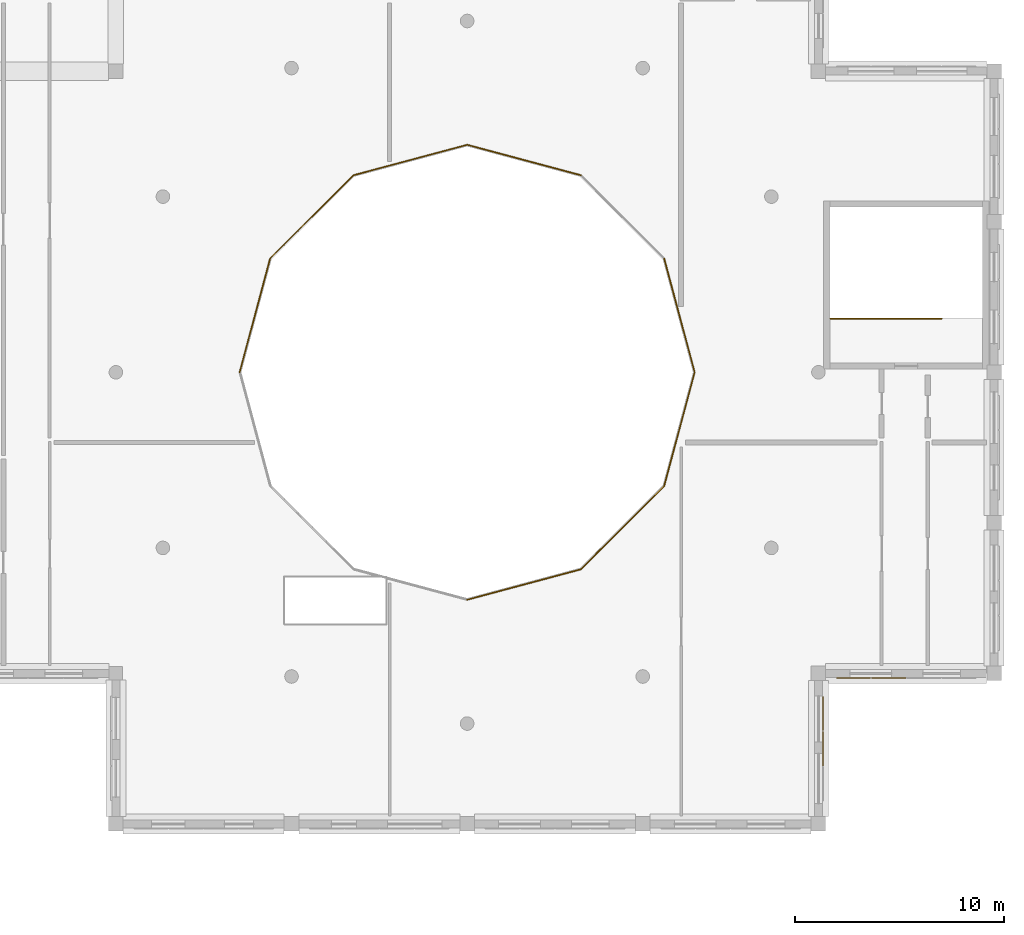
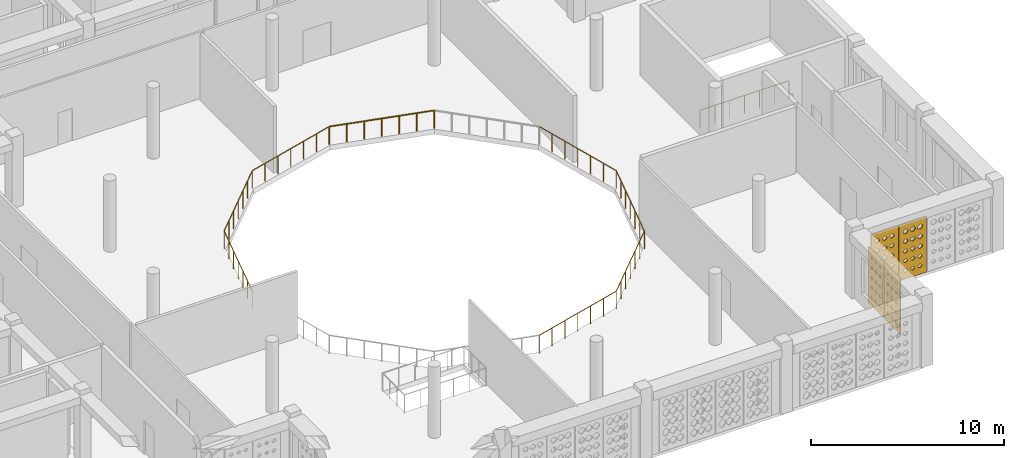
# One storey, part 37 of 47: 9 railings, 4 coverings.
"""IFC4 building model written with IfcOpenShell, lengths in metres."""

from ifc_helpers import new_model, si_unit, derived_unit, direction, frame, origin, origin_2d, place, context, subcontext, project, spatial, polyline, circle, outline, extrude, material, layer, layer_set, type_object, element, save


model = new_model("IFC4")

# Units and contexts
model_context = context("Model", 3, precision=1e-05, world=origin(), true_north=direction((0.0, 1.0)))
body_context = subcontext(model_context, "Body", "Model", "MODEL_VIEW")
ifc_project = project(units=[si_unit("LENGTHUNIT", "METRE"), si_unit("AREAUNIT", "SQUARE_METRE"), si_unit("VOLUMEUNIT", "CUBIC_METRE"), si_unit("PLANEANGLEUNIT", "RADIAN"), si_unit("MASSUNIT", "GRAM", prefix="KILO"), derived_unit("THERMALTRANSMITTANCEUNIT", [(si_unit("POWERUNIT", "WATT"), 1), (si_unit("LENGTHUNIT", "METRE"), -2), (si_unit("THERMODYNAMICTEMPERATUREUNIT", "KELVIN"), -1)])], contexts=[model_context])

# Site, building, storey
site_placement = place(None, origin())
site = spatial("IfcSite", under=ifc_project, at=site_placement, CompositionType="ELEMENT")
building_placement = place(site_placement, origin())
building = spatial("IfcBuilding", under=site, at=building_placement, Name="Veybourne Emporium", CompositionType="ELEMENT")
storey_placement = place(building_placement, frame((0.0, 0.0, 23.39990234375)))
storey = spatial("IfcBuildingStorey", under=building, at=storey_placement, Name="L05", CompositionType="ELEMENT", Elevation=23.39990234375)

# Railings
ifc_material_1 = material(Name="Patinated Architectural Bronze", Category="bronze")
railing_type_1 = type_object("IfcRailingType", Name="Balustrade_BL-01", PredefinedType="BALUSTRADE", material=ifc_material_1)
railing_1_placement = place(storey_placement, frame((86.47998046875, 50.39990234375, 0.0)))
element("IfcRailing", 1, at=railing_1_placement, inside=storey, type_object=railing_type_1, Name="L05 central atrium void balustrade 01", PredefinedType="BALUSTRADE", context=body_context, shape_type="SweptSolid", body=[
    extrude(circle(Radius=0.02392578125, at=origin_2d()), frame((0.0, 0.0, 1.1259765625), z_axis=(-0.25879025426, 0.965933540312, 0.0), x_axis=(-0.965933540312, -0.25879025426, 0.0)), (0.0, 0.0, 1.0), 5.632080078125),
    extrude(circle(Radius=0.02099609375, at=origin_2d()), origin(), (0.0, 0.0, 1.0), 1.101806640625),
    extrude(circle(Radius=0.02099609375, at=origin_2d()), frame((-0.242919921875, 0.90673828125, 0.0)), (0.0, 0.0, 1.0), 1.101806640625),
    extrude(circle(Radius=0.02099609375, at=origin_2d()), frame((-0.48583984375, 1.8134765625, 0.0)), (0.0, 0.0, 1.0), 1.101806640625),
    extrude(circle(Radius=0.02099609375, at=origin_2d()), frame((-0.728759765625, 2.72021484375, 0.0)), (0.0, 0.0, 1.0), 1.101806640625),
    extrude(circle(Radius=0.02099609375, at=origin_2d()), frame((-0.9716796875, 3.626708984375, 0.0)), (0.0, 0.0, 1.0), 1.101806640625),
    extrude(circle(Radius=0.02099609375, at=origin_2d()), frame((-1.214599609375, 4.533447265625, 0.0)), (0.0, 0.0, 1.0), 1.101806640625),
    extrude(circle(Radius=0.02099609375, at=origin_2d()), frame((-1.45751953125, 5.440185546875, 0.0)), (0.0, 0.0, 1.0), 1.101806640625),
])
railing_2_placement = place(storey_placement, frame((81.0400390625, 59.822265625, 0.0)))
element("IfcRailing", 2, at=railing_2_placement, inside=storey, type_object=railing_type_1, Name="L05 central atrium void balustrade 03", PredefinedType="BALUSTRADE", context=body_context, shape_type="SweptSolid", body=[
    extrude(circle(Radius=0.02392578125, at=origin_2d()), frame((0.0, 0.0, 1.1259765625), z_axis=(-0.965919799386, 0.258841536762, 0.0), x_axis=(-0.258841536762, -0.965919799386, 0.0)), (0.0, 0.0, 1.0), 5.6318359375),
    extrude(circle(Radius=0.02099609375, at=origin_2d()), origin(), (0.0, 0.0, 1.0), 1.101806640625),
    extrude(circle(Radius=0.02099609375, at=origin_2d()), frame((-0.90673828125, 0.242919921875, 0.0)), (0.0, 0.0, 1.0), 1.101806640625),
    extrude(circle(Radius=0.02099609375, at=origin_2d()), frame((-1.813232421875, 0.48583984375, 0.0)), (0.0, 0.0, 1.0), 1.101806640625),
    extrude(circle(Radius=0.02099609375, at=origin_2d()), frame((-2.719970703125, 0.72900390625, 0.0)), (0.0, 0.0, 1.0), 1.101806640625),
    extrude(circle(Radius=0.02099609375, at=origin_2d()), frame((-3.626708984375, 0.971923828125, 0.0)), (0.0, 0.0, 1.0), 1.101806640625),
    extrude(circle(Radius=0.02099609375, at=origin_2d()), frame((-4.533203125, 1.21484375, 0.0)), (0.0, 0.0, 1.0), 1.101806640625),
    extrude(circle(Radius=0.02099609375, at=origin_2d()), frame((-5.43994140625, 1.457763671875, 0.0)), (0.0, 0.0, 1.0), 1.101806640625),
])
railing_3_placement = place(storey_placement, frame((75.60009765625, 61.280029296875, 0.0)))
element("IfcRailing", 3, at=railing_3_placement, inside=storey, type_object=railing_type_1, Name="L05 central atrium void balustrade 04", PredefinedType="BALUSTRADE", context=body_context, shape_type="SweptSolid", body=[
    extrude(circle(Radius=0.02392578125, at=origin_2d()), frame((0.0, 0.0, 1.1259765625), z_axis=(-0.965922703593, -0.258830698881, 0.0), x_axis=(0.258830698881, -0.965922703593, 0.0)), (0.0, 0.0, 1.0), 5.632080078125),
    extrude(circle(Radius=0.02099609375, at=origin_2d()), origin(), (0.0, 0.0, 1.0), 1.101806640625),
    extrude(circle(Radius=0.02099609375, at=origin_2d()), frame((-0.90673828125, -0.242919921875, 0.0)), (0.0, 0.0, 1.0), 1.101806640625),
    extrude(circle(Radius=0.02099609375, at=origin_2d()), frame((-1.8134765625, -0.48583984375, 0.0)), (0.0, 0.0, 1.0), 1.101806640625),
    extrude(circle(Radius=0.02099609375, at=origin_2d()), frame((-2.72021484375, -0.72900390625, 0.0)), (0.0, 0.0, 1.0), 1.101806640625),
    extrude(circle(Radius=0.02099609375, at=origin_2d()), frame((-3.626708984375, -0.971923828125, 0.0)), (0.0, 0.0, 1.0), 1.101806640625),
    extrude(circle(Radius=0.02099609375, at=origin_2d()), frame((-4.533447265625, -1.21484375, 0.0)), (0.0, 0.0, 1.0), 1.101806640625),
    extrude(circle(Radius=0.02099609375, at=origin_2d()), frame((-5.440185546875, -1.457763671875, 0.0)), (0.0, 0.0, 1.0), 1.101806640625),
])
railing_4_placement = place(storey_placement, frame((70.159912109375, 59.822265625, 0.0)))
element("IfcRailing", 4, at=railing_4_placement, inside=storey, type_object=railing_type_1, Name="L05 central atrium void balustrade 05", PredefinedType="BALUSTRADE", context=body_context, shape_type="SweptSolid", body=[
    extrude(circle(Radius=0.02392578125, at=origin_2d()), frame((0.0, 0.0, 1.1259765625), z_axis=(-0.707106781187, -0.707106781187, 0.0), x_axis=(0.707106781187, -0.707106781187, 0.0)), (0.0, 0.0, 1.0), 5.631591796875),
    extrude(circle(Radius=0.02099609375, at=origin_2d()), origin(), (0.0, 0.0, 1.0), 1.101806640625),
    extrude(circle(Radius=0.02099609375, at=origin_2d()), frame((-0.66357421875, -0.66357421875, 0.0)), (0.0, 0.0, 1.0), 1.101806640625),
    extrude(circle(Radius=0.02099609375, at=origin_2d()), frame((-1.327392578125, -1.327392578125, 0.0)), (0.0, 0.0, 1.0), 1.101806640625),
    extrude(circle(Radius=0.02099609375, at=origin_2d()), frame((-1.9912109375, -1.9912109375, 0.0)), (0.0, 0.0, 1.0), 1.101806640625),
    extrude(circle(Radius=0.02099609375, at=origin_2d()), frame((-2.65478515625, -2.65478515625, 0.0)), (0.0, 0.0, 1.0), 1.101806640625),
    extrude(circle(Radius=0.02099609375, at=origin_2d()), frame((-3.318359375, -3.318359375, 0.0)), (0.0, 0.0, 1.0), 1.101806640625),
    extrude(circle(Radius=0.02099609375, at=origin_2d()), frame((-3.982177734375, -3.982177734375, 0.0)), (0.0, 0.0, 1.0), 1.101806640625),
])
railing_5_placement = place(storey_placement, frame((66.177734375, 55.840087890625, 0.0)))
element("IfcRailing", 5, at=railing_5_placement, inside=storey, type_object=railing_type_1, Name="L05 central atrium void balustrade 06", PredefinedType="BALUSTRADE", context=body_context, shape_type="SweptSolid", body=[
    extrude(circle(Radius=0.02392578125, at=origin_2d()), frame((0.0, 0.0, 1.1259765625), z_axis=(-0.258830698881, -0.965922703593, 0.0), x_axis=(0.965922703593, -0.258830698881, 0.0)), (0.0, 0.0, 1.0), 5.632080078125),
    extrude(circle(Radius=0.02099609375, at=origin_2d()), origin(), (0.0, 0.0, 1.0), 1.101806640625),
    extrude(circle(Radius=0.02099609375, at=origin_2d()), frame((-0.242919921875, -0.90673828125, 0.0)), (0.0, 0.0, 1.0), 1.101806640625),
    extrude(circle(Radius=0.02099609375, at=origin_2d()), frame((-0.48583984375, -1.8134765625, 0.0)), (0.0, 0.0, 1.0), 1.101806640625),
    extrude(circle(Radius=0.02099609375, at=origin_2d()), frame((-0.72900390625, -2.72021484375, 0.0)), (0.0, 0.0, 1.0), 1.101806640625),
    extrude(circle(Radius=0.02099609375, at=origin_2d()), frame((-0.971923828125, -3.626708984375, 0.0)), (0.0, 0.0, 1.0), 1.101806640625),
    extrude(circle(Radius=0.02099609375, at=origin_2d()), frame((-1.21484375, -4.533447265625, 0.0)), (0.0, 0.0, 1.0), 1.101806640625),
    extrude(circle(Radius=0.02099609375, at=origin_2d()), frame((-1.457763671875, -5.440185546875, 0.0)), (0.0, 0.0, 1.0), 1.101806640625),
])
railing_6_placement = place(storey_placement, frame((75.60009765625, 39.52001953125, 0.0)))
element("IfcRailing", 6, at=railing_6_placement, inside=storey, type_object=railing_type_1, Name="L05 central atrium void balustrade 10", PredefinedType="BALUSTRADE", context=body_context, shape_type="SweptSolid", body=[
    extrude(circle(Radius=0.02392578125, at=origin_2d()), frame((0.0, 0.0, 1.1259765625), z_axis=(0.96593063698, 0.258801090691, 0.0), x_axis=(-0.258801090691, 0.96593063698, 0.0)), (0.0, 0.0, 1.0), 5.6318359375),
    extrude(circle(Radius=0.02099609375, at=origin_2d()), origin(), (0.0, 0.0, 1.0), 1.101806640625),
    extrude(circle(Radius=0.02099609375, at=origin_2d()), frame((0.90673828125, 0.242919921875, 0.0)), (0.0, 0.0, 1.0), 1.101806640625),
    extrude(circle(Radius=0.02099609375, at=origin_2d()), frame((1.813232421875, 0.48583984375, 0.0)), (0.0, 0.0, 1.0), 1.101806640625),
    extrude(circle(Radius=0.02099609375, at=origin_2d()), frame((2.719970703125, 0.728759765625, 0.0)), (0.0, 0.0, 1.0), 1.101806640625),
    extrude(circle(Radius=0.02099609375, at=origin_2d()), frame((3.626708984375, 0.9716796875, 0.0)), (0.0, 0.0, 1.0), 1.101806640625),
    extrude(circle(Radius=0.02099609375, at=origin_2d()), frame((4.533203125, 1.214599609375, 0.0)), (0.0, 0.0, 1.0), 1.101806640625),
    extrude(circle(Radius=0.02099609375, at=origin_2d()), frame((5.43994140625, 1.45751953125, 0.0)), (0.0, 0.0, 1.0), 1.101806640625),
])
railing_7_placement = place(storey_placement, frame((81.0400390625, 40.9775390625, 0.0)))
element("IfcRailing", 7, at=railing_7_placement, inside=storey, type_object=railing_type_1, Name="L05 central atrium void balustrade 11", PredefinedType="BALUSTRADE", context=body_context, shape_type="SweptSolid", body=[
    extrude(circle(Radius=0.02392578125, at=origin_2d()), frame((0.0, 0.0, 1.1259765625), z_axis=(0.707106781187, 0.707106781187, 0.0), x_axis=(-0.707106781187, 0.707106781187, 0.0)), (0.0, 0.0, 1.0), 5.632080078125),
    extrude(circle(Radius=0.02099609375, at=origin_2d()), origin(), (0.0, 0.0, 1.0), 1.101806640625),
    extrude(circle(Radius=0.02099609375, at=origin_2d()), frame((0.663818359375, 0.663818359375, 0.0)), (0.0, 0.0, 1.0), 1.101806640625),
    extrude(circle(Radius=0.02099609375, at=origin_2d()), frame((1.327392578125, 1.327392578125, 0.0)), (0.0, 0.0, 1.0), 1.101806640625),
    extrude(circle(Radius=0.02099609375, at=origin_2d()), frame((1.9912109375, 1.9912109375, 0.0)), (0.0, 0.0, 1.0), 1.101806640625),
    extrude(circle(Radius=0.02099609375, at=origin_2d()), frame((2.655029296875, 2.655029296875, 0.0)), (0.0, 0.0, 1.0), 1.101806640625),
    extrude(circle(Radius=0.02099609375, at=origin_2d()), frame((3.318603515625, 3.318603515625, 0.0)), (0.0, 0.0, 1.0), 1.101806640625),
    extrude(circle(Radius=0.02099609375, at=origin_2d()), frame((3.982421875, 3.982421875, 0.0)), (0.0, 0.0, 1.0), 1.101806640625),
])
railing_8_placement = place(storey_placement, frame((85.0224609375, 44.9599609375, 0.0)))
element("IfcRailing", 8, at=railing_8_placement, inside=storey, type_object=railing_type_1, Name="L05 central atrium void balustrade 12", PredefinedType="BALUSTRADE", context=body_context, shape_type="SweptSolid", body=[
    extrude(circle(Radius=0.02392578125, at=origin_2d()), frame((0.0, 0.0, 1.1259765625), z_axis=(0.258801090691, 0.96593063698, 0.0), x_axis=(-0.96593063698, 0.258801090691, 0.0)), (0.0, 0.0, 1.0), 5.6318359375),
    extrude(circle(Radius=0.02099609375, at=origin_2d()), origin(), (0.0, 0.0, 1.0), 1.101806640625),
    extrude(circle(Radius=0.02099609375, at=origin_2d()), frame((0.242919921875, 0.90673828125, 0.0)), (0.0, 0.0, 1.0), 1.101806640625),
    extrude(circle(Radius=0.02099609375, at=origin_2d()), frame((0.48583984375, 1.813232421875, 0.0)), (0.0, 0.0, 1.0), 1.101806640625),
    extrude(circle(Radius=0.02099609375, at=origin_2d()), frame((0.728759765625, 2.719970703125, 0.0)), (0.0, 0.0, 1.0), 1.101806640625),
    extrude(circle(Radius=0.02099609375, at=origin_2d()), frame((0.9716796875, 3.626708984375, 0.0)), (0.0, 0.0, 1.0), 1.101806640625),
    extrude(circle(Radius=0.02099609375, at=origin_2d()), frame((1.214599609375, 4.533203125, 0.0)), (0.0, 0.0, 1.0), 1.101806640625),
    extrude(circle(Radius=0.02099609375, at=origin_2d()), frame((1.45751953125, 5.43994140625, 0.0)), (0.0, 0.0, 1.0), 1.101806640625),
])
ifc_material_2 = material(Name="Brushed Stainless Steel", Category="steel")
railing_type_2 = type_object("IfcRailingType", Name="Guard_GR-01", PredefinedType="GUARDRAIL", material=ifc_material_2)
railing_9_placement = place(storey_placement, frame((92.969970703125, 52.9599609375, 0.0)))
element("IfcRailing", 9, at=railing_9_placement, inside=storey, type_object=railing_type_2, Name="L05 ST-07 top well guardrail", PredefinedType="GUARDRAIL", context=body_context, shape_type="SweptSolid", body=[
    extrude(circle(Radius=0.02392578125, at=origin_2d()), frame((0.0, 0.0, 1.1259765625), z_axis=(1.0, 0.0, 0.0), x_axis=(0.0, 1.0, 0.0)), (0.0, 0.0, 1.0), 5.320068359375),
    extrude(circle(Radius=0.02099609375, at=origin_2d()), origin(), (0.0, 0.0, 1.0), 1.101806640625),
    extrude(circle(Radius=0.02099609375, at=origin_2d()), frame((0.88671875, 0.0, 0.0)), (0.0, 0.0, 1.0), 1.101806640625),
    extrude(circle(Radius=0.02099609375, at=origin_2d()), frame((1.7734375, 0.0, 0.0)), (0.0, 0.0, 1.0), 1.101806640625),
    extrude(circle(Radius=0.02099609375, at=origin_2d()), frame((2.66015625, 0.0, 0.0)), (0.0, 0.0, 1.0), 1.101806640625),
    extrude(circle(Radius=0.02099609375, at=origin_2d()), frame((3.546630859375, 0.0, 0.0)), (0.0, 0.0, 1.0), 1.101806640625),
    extrude(circle(Radius=0.02099609375, at=origin_2d()), frame((4.433349609375, 0.0, 0.0)), (0.0, 0.0, 1.0), 1.101806640625),
    extrude(circle(Radius=0.02099609375, at=origin_2d()), frame((5.320068359375, 0.0, 0.0)), (0.0, 0.0, 1.0), 1.101806640625),
])

# Coverings
ifc_material_3 = material(Name="Warm-White Perforated Aluminium Screen Alloy", Category="aluminium")
ifc_layer_1 = layer(ifc_material_3, 0.06005859375)
ifc_layer_set_1 = layer_set([ifc_layer_1], Name="Warm-White Perforated Aluminium Screen Alloy")
covering_type_1 = type_object("IfcCoveringType", Name="WaveScreen_SCR-01", PredefinedType="CLADDING", material=ifc_layer_set_1)
covering_1_placement = place(storey_placement, frame((94.080078125, 35.751953125, 1.830078125), z_axis=(0.0, 1.0, 0.0), x_axis=(-1.0, 0.0, 0.0)))
element("IfcCovering", 10, at=covering_1_placement, inside=storey, type_object=covering_type_1, Name="L05 wave-perforated aluminium screen SCR-01 (51.4)", PredefinedType="CLADDING", context=body_context, shape_type="SweptSolid", body=[
    extrude(outline(polyline([(-0.81982421875, -1.77001953125), (0.81982421875, -1.77001953125), (0.81982421875, 1.77001953125), (-0.81982421875, 1.77001953125), (-0.81982421875, -1.77001953125)]), holes=[polyline([(-0.433349609375, -1.125732421875), (-0.329833984375, -1.19873046875), (-0.329833984375, -1.28125), (-0.433349609375, -1.354248046875), (-0.536865234375, -1.28125), (-0.536865234375, -1.19873046875), (-0.433349609375, -1.125732421875)]), polyline([(-0.433349609375, -0.5), (-0.3251953125, -0.576904296875), (-0.3251953125, -0.6630859375), (-0.433349609375, -0.739990234375), (-0.54150390625, -0.6630859375), (-0.54150390625, -0.576904296875), (-0.433349609375, -0.5)]), polyline([(-0.433349609375, 0.1279296875), (-0.318603515625, 0.046142578125), (-0.318603515625, -0.046142578125), (-0.433349609375, -0.1279296875), (-0.548095703125, -0.046142578125), (-0.548095703125, 0.046142578125), (-0.433349609375, 0.1279296875)]), polyline([(-0.433349609375, 0.7578125), (-0.310546875, 0.669677734375), (-0.310546875, 0.5703125), (-0.433349609375, 0.482177734375), (-0.55615234375, 0.5703125), (-0.55615234375, 0.669677734375), (-0.433349609375, 0.7578125)]), polyline([(-0.433349609375, 1.389404296875), (-0.30126953125, 1.293701171875), (-0.30126953125, 1.186279296875), (-0.433349609375, 1.0908203125), (-0.5654296875, 1.186279296875), (-0.5654296875, 1.293701171875), (-0.433349609375, 1.389404296875)]), polyline([(0.0, -1.12744140625), (0.10205078125, -1.199462890625), (0.10205078125, -1.280517578125), (0.0, -1.3525390625), (-0.10205078125, -1.280517578125), (-0.10205078125, -1.199462890625), (0.0, -1.12744140625)]), polyline([(0.0, -0.502685546875), (0.10595703125, -0.577880859375), (0.10595703125, -0.662109375), (0.0, -0.7373046875), (-0.10595703125, -0.662109375), (-0.10595703125, -0.577880859375), (0.0, -0.502685546875)]), polyline([(0.0, 0.124267578125), (0.111572265625, 0.044677734375), (0.111572265625, -0.044677734375), (0.0, -0.124267578125), (-0.111572265625, -0.044677734375), (-0.111572265625, 0.044677734375), (0.0, 0.124267578125)]), polyline([(0.0, 0.753173828125), (0.118896484375, 0.66796875), (0.118896484375, 0.572021484375), (0.0, 0.48681640625), (-0.118896484375, 0.572021484375), (-0.118896484375, 0.66796875), (0.0, 0.753173828125)]), polyline([(0.0, 1.384033203125), (0.127685546875, 1.291748046875), (0.127685546875, 1.188232421875), (0.0, 1.095947265625), (-0.127685546875, 1.188232421875), (-0.127685546875, 1.291748046875), (0.0, 1.384033203125)]), polyline([(0.433349609375, -1.12890625), (0.5341796875, -1.199951171875), (0.5341796875, -1.280029296875), (0.433349609375, -1.351318359375), (0.33251953125, -1.280029296875), (0.33251953125, -1.199951171875), (0.433349609375, -1.12890625)]), polyline([(0.433349609375, -0.505126953125), (0.537353515625, -0.57861328125), (0.537353515625, -0.661376953125), (0.433349609375, -0.73486328125), (0.329345703125, -0.661376953125), (0.329345703125, -0.57861328125), (0.433349609375, -0.505126953125)]), polyline([(0.433349609375, 0.120849609375), (0.5419921875, 0.04345703125), (0.5419921875, -0.04345703125), (0.433349609375, -0.120849609375), (0.324462890625, -0.04345703125), (0.324462890625, 0.04345703125), (0.433349609375, 0.120849609375)]), polyline([(0.433349609375, 0.748779296875), (0.548828125, 0.66650390625), (0.548828125, 0.573486328125), (0.433349609375, 0.4912109375), (0.31787109375, 0.573486328125), (0.31787109375, 0.66650390625), (0.433349609375, 0.748779296875)]), polyline([(0.433349609375, 1.37890625), (0.556884765625, 1.2900390625), (0.556884765625, 1.18994140625), (0.433349609375, 1.10107421875), (0.309814453125, 1.18994140625), (0.309814453125, 1.2900390625), (0.433349609375, 1.37890625)])]), origin(), (0.0, 0.0, 1.0), 0.06005859375),
])
ifc_layer_2 = layer(ifc_material_3, 0.06005859375)
ifc_layer_set_2 = layer_set([ifc_layer_2], Name="Warm-White Perforated Aluminium Screen Alloy")
covering_type_2 = type_object("IfcCoveringType", Name="WaveScreen_SCR-03", PredefinedType="CLADDING", material=ifc_layer_set_2)
covering_2_placement = place(storey_placement, frame((92.64794921875, 34.080078125, 1.830078125), z_axis=(-1.0, 0.0, 0.0), x_axis=(0.0, -1.0, 0.0)))
element("IfcCovering", 11, at=covering_2_placement, inside=storey, type_object=covering_type_2, Name="L05 wave-perforated aluminium screen SCR-03 (48.1)", PredefinedType="CLADDING", context=body_context, shape_type="SweptSolid", body=[
    extrude(outline(polyline([(-0.81982421875, -1.77001953125), (0.81982421875, -1.77001953125), (0.81982421875, 1.77001953125), (-0.81982421875, 1.77001953125), (-0.81982421875, -1.77001953125)]), holes=[polyline([(-0.433349609375, -1.127685546875), (-0.331298828125, -1.199462890625), (-0.331298828125, -1.280517578125), (-0.433349609375, -1.352294921875), (-0.535400390625, -1.280517578125), (-0.535400390625, -1.199462890625), (-0.433349609375, -1.127685546875)]), polyline([(-0.433349609375, -0.509765625), (-0.333251953125, -0.580322265625), (-0.333251953125, -0.65966796875), (-0.433349609375, -0.730224609375), (-0.533447265625, -0.65966796875), (-0.533447265625, -0.580322265625), (-0.433349609375, -0.509765625)]), polyline([(-0.433349609375, 0.1103515625), (-0.3330078125, 0.039794921875), (-0.3330078125, -0.039794921875), (-0.433349609375, -0.1103515625), (-0.53369140625, -0.039794921875), (-0.53369140625, 0.039794921875), (-0.433349609375, 0.1103515625)]), polyline([(-0.433349609375, 0.733154296875), (-0.330810546875, 0.66064453125), (-0.330810546875, 0.579345703125), (-0.433349609375, 0.5068359375), (-0.535888671875, 0.579345703125), (-0.535888671875, 0.66064453125), (-0.433349609375, 0.733154296875)]), polyline([(-0.433349609375, 1.358154296875), (-0.32666015625, 1.28271484375), (-0.32666015625, 1.197509765625), (-0.433349609375, 1.121826171875), (-0.5400390625, 1.197509765625), (-0.5400390625, 1.28271484375), (-0.433349609375, 1.358154296875)]), polyline([(0.0, -1.125732421875), (0.103515625, -1.198974609375), (0.103515625, -1.281005859375), (0.0, -1.354248046875), (-0.103515625, -1.281005859375), (-0.103515625, -1.198974609375), (0.0, -1.125732421875)]), polyline([(0.0, -0.509033203125), (0.1005859375, -0.580078125), (0.1005859375, -0.659912109375), (0.0, -0.73095703125), (-0.1005859375, -0.659912109375), (-0.1005859375, -0.580078125), (0.0, -0.509033203125)]), polyline([(0.0, 0.110107421875), (0.10009765625, 0.03955078125), (0.10009765625, -0.03955078125), (0.0, -0.110107421875), (-0.10009765625, -0.03955078125), (-0.10009765625, 0.03955078125), (0.0, 0.110107421875)]), polyline([(0.0, 0.731689453125), (0.101318359375, 0.66015625), (0.101318359375, 0.579833984375), (0.0, 0.50830078125), (-0.101318359375, 0.579833984375), (-0.101318359375, 0.66015625), (0.0, 0.731689453125)]), polyline([(0.0, 1.355712890625), (0.1044921875, 1.281494140625), (0.1044921875, 1.198486328125), (0.0, 1.12451171875), (-0.1044921875, 1.198486328125), (-0.1044921875, 1.281494140625), (0.0, 1.355712890625)]), polyline([(0.433349609375, -1.12353515625), (0.538818359375, -1.197998046875), (0.538818359375, -1.281982421875), (0.433349609375, -1.3564453125), (0.327880859375, -1.281982421875), (0.327880859375, -1.197998046875), (0.433349609375, -1.12353515625)]), polyline([(0.433349609375, -0.5078125), (0.53515625, -0.57958984375), (0.53515625, -0.660400390625), (0.433349609375, -0.732177734375), (0.33154296875, -0.660400390625), (0.33154296875, -0.57958984375), (0.433349609375, -0.5078125)]), polyline([(0.433349609375, 0.110107421875), (0.533447265625, 0.03955078125), (0.533447265625, -0.03955078125), (0.433349609375, -0.110107421875), (0.333251953125, -0.03955078125), (0.333251953125, 0.03955078125), (0.433349609375, 0.110107421875)]), polyline([(0.433349609375, 0.730712890625), (0.53369140625, 0.659912109375), (0.53369140625, 0.580078125), (0.433349609375, 0.509521484375), (0.332763671875, 0.580078125), (0.332763671875, 0.659912109375), (0.433349609375, 0.730712890625)]), polyline([(0.433349609375, 1.353515625), (0.5361328125, 1.281005859375), (0.5361328125, 1.19921875), (0.433349609375, 1.12646484375), (0.330322265625, 1.19921875), (0.330322265625, 1.281005859375), (0.433349609375, 1.353515625)])]), origin(), (0.0, 0.0, 1.0), 0.06005859375),
])
ifc_layer_3 = layer(ifc_material_3, 0.06005859375)
ifc_layer_set_3 = layer_set([ifc_layer_3], Name="Warm-White Perforated Aluminium Screen Alloy")
covering_type_3 = type_object("IfcCoveringType", Name="WaveScreen_SCR-04", PredefinedType="CLADDING", material=ifc_layer_set_3)
covering_3_placement = place(storey_placement, frame((92.64794921875, 32.39990234375, 1.830078125), z_axis=(-1.0, 0.0, 0.0), x_axis=(0.0, -1.0, 0.0)))
element("IfcCovering", 12, at=covering_3_placement, inside=storey, type_object=covering_type_3, Name="L05 wave-perforated aluminium screen SCR-04 (48.2)", PredefinedType="CLADDING", context=body_context, shape_type="SweptSolid", body=[
    extrude(outline(polyline([(-0.81982421875, -1.77001953125), (0.81982421875, -1.77001953125), (0.81982421875, 1.77001953125), (-0.81982421875, 1.77001953125), (-0.81982421875, -1.77001953125)]), holes=[polyline([(-0.433349609375, -1.117919921875), (-0.323486328125, -1.196044921875), (-0.323486328125, -1.283935546875), (-0.433349609375, -1.362060546875), (-0.543212890625, -1.283935546875), (-0.543212890625, -1.196044921875), (-0.433349609375, -1.117919921875)]), polyline([(-0.433349609375, -0.50439453125), (-0.32861328125, -0.578369140625), (-0.32861328125, -0.66162109375), (-0.433349609375, -0.735595703125), (-0.5380859375, -0.66162109375), (-0.5380859375, -0.578369140625), (-0.433349609375, -0.50439453125)]), polyline([(-0.433349609375, 0.111572265625), (-0.33203125, 0.040283203125), (-0.33203125, -0.040283203125), (-0.433349609375, -0.111572265625), (-0.53466796875, -0.040283203125), (-0.53466796875, 0.040283203125), (-0.433349609375, 0.111572265625)]), polyline([(-0.433349609375, 0.72998046875), (-0.333251953125, 0.65966796875), (-0.333251953125, 0.580322265625), (-0.433349609375, 0.510009765625), (-0.533447265625, 0.580322265625), (-0.533447265625, 0.65966796875), (-0.433349609375, 0.72998046875)]), polyline([(-0.433349609375, 1.350830078125), (-0.33251953125, 1.27978515625), (-0.33251953125, 1.2001953125), (-0.433349609375, 1.129150390625), (-0.5341796875, 1.2001953125), (-0.5341796875, 1.27978515625), (-0.433349609375, 1.350830078125)]), polyline([(0.0, -1.114501953125), (0.11279296875, -1.19482421875), (0.11279296875, -1.28515625), (0.0, -1.365478515625), (-0.11279296875, -1.28515625), (-0.11279296875, -1.19482421875), (0.0, -1.114501953125)]), polyline([(0.0, -0.501708984375), (0.106689453125, -0.577392578125), (0.106689453125, -0.66259765625), (0.0, -0.73828125), (-0.106689453125, -0.66259765625), (-0.106689453125, -0.577392578125), (0.0, -0.501708984375)]), polyline([(0.0, 0.11328125), (0.1025390625, 0.040771484375), (0.1025390625, -0.040771484375), (0.0, -0.11328125), (-0.1025390625, -0.040771484375), (-0.1025390625, 0.040771484375), (0.0, 0.11328125)]), polyline([(0.0, 0.73046875), (0.100341796875, 0.659912109375), (0.100341796875, 0.580078125), (0.0, 0.509521484375), (-0.100341796875, 0.580078125), (-0.100341796875, 0.659912109375), (0.0, 0.73046875)]), polyline([(0.0, 1.35009765625), (0.10009765625, 1.27978515625), (0.10009765625, 1.2001953125), (0.0, 1.1298828125), (-0.10009765625, 1.2001953125), (-0.10009765625, 1.27978515625), (0.0, 1.35009765625)]), polyline([(0.433349609375, -1.110595703125), (0.54931640625, -1.193359375), (0.54931640625, -1.28662109375), (0.433349609375, -1.369384765625), (0.3173828125, -1.28662109375), (0.3173828125, -1.193359375), (0.433349609375, -1.110595703125)]), polyline([(0.433349609375, -0.498779296875), (0.54248046875, -0.576416015625), (0.54248046875, -0.663818359375), (0.433349609375, -0.7412109375), (0.32421875, -0.663818359375), (0.32421875, -0.576416015625), (0.433349609375, -0.498779296875)]), polyline([(0.433349609375, 0.115234375), (0.53759765625, 0.04150390625), (0.53759765625, -0.04150390625), (0.433349609375, -0.115234375), (0.3291015625, -0.04150390625), (0.3291015625, 0.04150390625), (0.433349609375, 0.115234375)]), polyline([(0.433349609375, 0.7314453125), (0.534423828125, 0.66015625), (0.534423828125, 0.579833984375), (0.433349609375, 0.508544921875), (0.332275390625, 0.579833984375), (0.332275390625, 0.66015625), (0.433349609375, 0.7314453125)]), polyline([(0.433349609375, 1.35009765625), (0.533203125, 1.279541015625), (0.533203125, 1.200439453125), (0.433349609375, 1.1298828125), (0.333251953125, 1.200439453125), (0.333251953125, 1.279541015625), (0.433349609375, 1.35009765625)])]), origin(), (0.0, 0.0, 1.0), 0.06005859375),
])
covering_4_placement = place(storey_placement, frame((95.760009765625, 35.751953125, 1.830078125), z_axis=(0.0, 1.0, 0.0), x_axis=(-1.0, 0.0, 0.0)))
element("IfcCovering", 13, at=covering_4_placement, inside=storey, type_object=covering_type_3, Name="L05 wave-perforated aluminium screen SCR-04 (51.3)", PredefinedType="CLADDING", context=body_context, shape_type="SweptSolid", body=[
    extrude(outline(polyline([(-0.81982421875, -1.77001953125), (0.81982421875, -1.77001953125), (0.81982421875, 1.77001953125), (-0.81982421875, 1.77001953125), (-0.81982421875, -1.77001953125)]), holes=[polyline([(-0.433349609375, -1.1142578125), (-0.320556640625, -1.194580078125), (-0.320556640625, -1.285400390625), (-0.433349609375, -1.36572265625), (-0.546142578125, -1.285400390625), (-0.546142578125, -1.194580078125), (-0.433349609375, -1.1142578125)]), polyline([(-0.433349609375, -0.48486328125), (-0.312744140625, -0.5712890625), (-0.312744140625, -0.668701171875), (-0.433349609375, -0.755126953125), (-0.553955078125, -0.668701171875), (-0.553955078125, -0.5712890625), (-0.433349609375, -0.48486328125)]), polyline([(-0.433349609375, 0.146240234375), (-0.3037109375, 0.052490234375), (-0.3037109375, -0.052490234375), (-0.433349609375, -0.146240234375), (-0.56298828125, -0.052490234375), (-0.56298828125, 0.052490234375), (-0.433349609375, 0.146240234375)]), polyline([(-0.433349609375, 0.77880859375), (-0.29345703125, 0.677001953125), (-0.29345703125, 0.56298828125), (-0.433349609375, 0.461181640625), (-0.5732421875, 0.56298828125), (-0.5732421875, 0.677001953125), (-0.433349609375, 0.77880859375)]), polyline([(-0.433349609375, 1.412109375), (-0.282470703125, 1.302001953125), (-0.282470703125, 1.177978515625), (-0.433349609375, 1.06787109375), (-0.584228515625, 1.177978515625), (-0.584228515625, 1.302001953125), (-0.433349609375, 1.412109375)]), polyline([(0.0, -1.117919921875), (0.10986328125, -1.196044921875), (0.10986328125, -1.283935546875), (0.0, -1.3623046875), (-0.10986328125, -1.283935546875), (-0.10986328125, -1.196044921875), (0.0, -1.117919921875)]), polyline([(0.0, -0.4892578125), (0.116943359375, -0.572998046875), (0.116943359375, -0.6669921875), (0.0, -0.750732421875), (-0.116943359375, -0.6669921875), (-0.116943359375, -0.572998046875), (0.0, -0.4892578125)]), polyline([(0.0, 0.14111328125), (0.12548828125, 0.05078125), (0.12548828125, -0.05078125), (0.0, -0.14111328125), (-0.12548828125, -0.05078125), (-0.12548828125, 0.05078125), (0.0, 0.14111328125)]), polyline([(0.0, 0.77294921875), (0.135009765625, 0.675048828125), (0.135009765625, 0.56494140625), (0.0, 0.467041015625), (-0.135009765625, 0.56494140625), (-0.135009765625, 0.675048828125), (0.0, 0.77294921875)]), polyline([(0.0, 1.406005859375), (0.145751953125, 1.2998046875), (0.145751953125, 1.18017578125), (0.0, 1.073974609375), (-0.145751953125, 1.18017578125), (-0.145751953125, 1.2998046875), (0.0, 1.406005859375)]), polyline([(0.433349609375, -1.12109375), (0.540771484375, -1.197265625), (0.540771484375, -1.28271484375), (0.433349609375, -1.35888671875), (0.325927734375, -1.28271484375), (0.325927734375, -1.197265625), (0.433349609375, -1.12109375)]), polyline([(0.433349609375, -0.493408203125), (0.546875, -0.574462890625), (0.546875, -0.66552734375), (0.433349609375, -0.74658203125), (0.31982421875, -0.66552734375), (0.31982421875, -0.574462890625), (0.433349609375, -0.493408203125)]), polyline([(0.433349609375, 0.135986328125), (0.5546875, 0.049072265625), (0.5546875, -0.049072265625), (0.433349609375, -0.135986328125), (0.31201171875, -0.049072265625), (0.31201171875, 0.049072265625), (0.433349609375, 0.135986328125)]), polyline([(0.433349609375, 0.767333984375), (0.56396484375, 0.673095703125), (0.56396484375, 0.56689453125), (0.433349609375, 0.47265625), (0.302734375, 0.56689453125), (0.302734375, 0.673095703125), (0.433349609375, 0.767333984375)]), polyline([(0.433349609375, 1.39990234375), (0.57421875, 1.297607421875), (0.57421875, 1.182373046875), (0.433349609375, 1.080078125), (0.29248046875, 1.182373046875), (0.29248046875, 1.297607421875), (0.433349609375, 1.39990234375)])]), origin(), (0.0, 0.0, 1.0), 0.06005859375),
])

save(model, "model.ifc")
